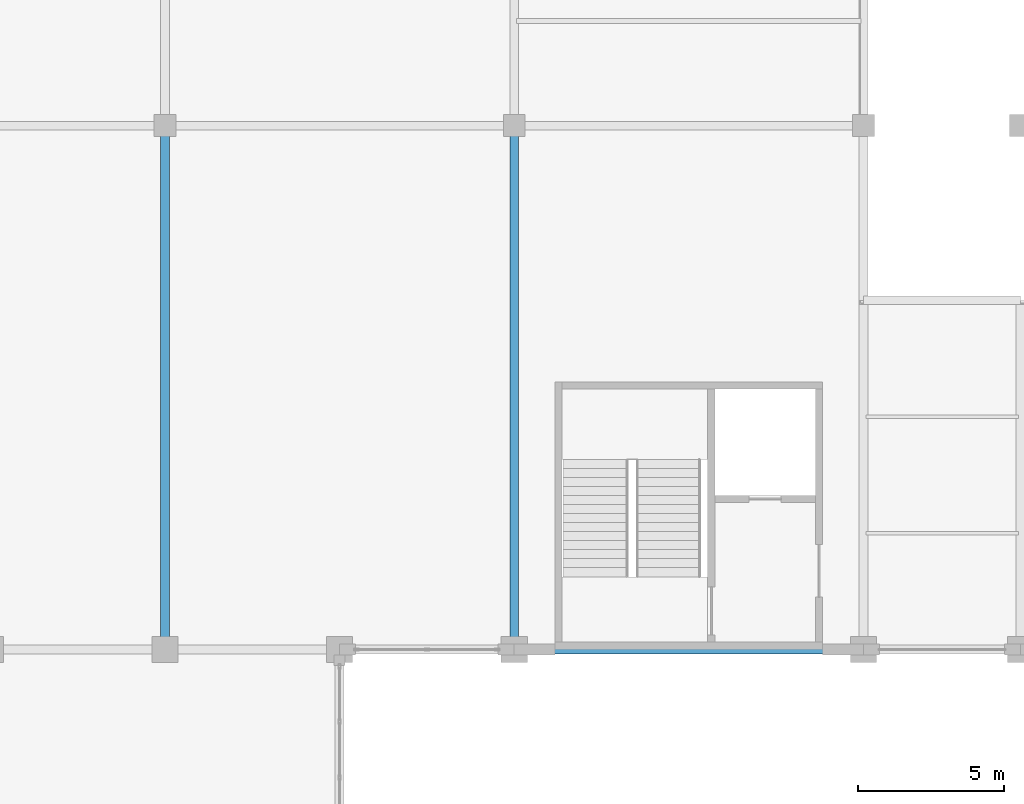
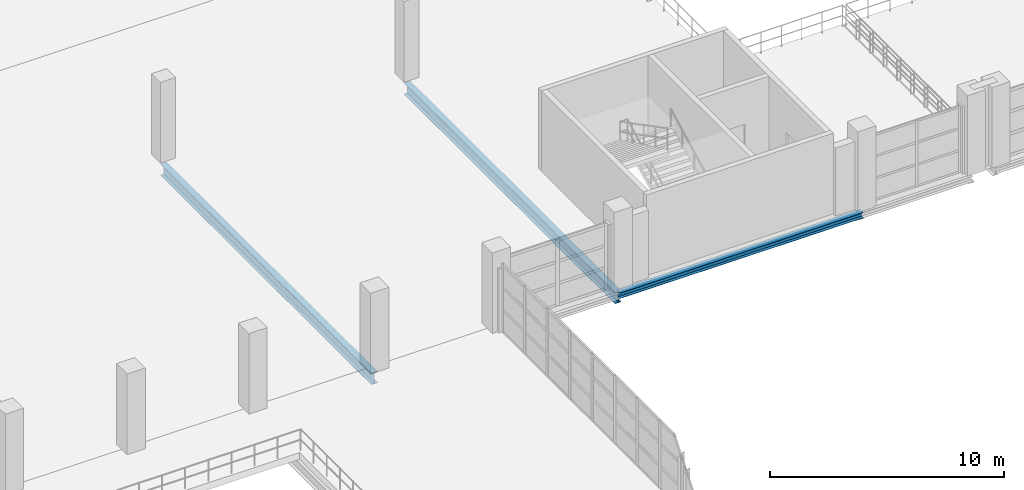
# One storey, part 59 of 158: 3 beams.
"""IFC4 building model written with IfcOpenShell, lengths in metres."""

from ifc_helpers import new_model, si_unit, direction, frame, origin, origin_2d, place, context, subcontext, project, spatial, i_section, extrude, material, material_profile, profile_set, type_object, element, save


model = new_model("IFC4")

# Units and contexts
model_context = context("Model", 3, precision=1e-05, world=origin(), true_north=direction((0.0, 1.0)))
body_context = subcontext(model_context, "Body", "Model", "MODEL_VIEW")
ifc_project = project(units=[si_unit("LENGTHUNIT", "METRE"), si_unit("AREAUNIT", "SQUARE_METRE"), si_unit("VOLUMEUNIT", "CUBIC_METRE"), si_unit("PLANEANGLEUNIT", "RADIAN"), si_unit("MASSUNIT", "GRAM", prefix="KILO")], contexts=[model_context])

# Site, building, storey
site_placement = place(None, origin())
site = spatial("IfcSite", under=ifc_project, at=site_placement, CompositionType="ELEMENT")
building_placement = place(site_placement, origin())
building = spatial("IfcBuilding", under=site, at=building_placement, Name="Zilviju Railside Exhibition Hall", CompositionType="ELEMENT")
storey_placement = place(building_placement, frame((0.0, 0.0, 4.199951171875)))
storey = spatial("IfcBuildingStorey", under=building, at=storey_placement, Name="L02", CompositionType="ELEMENT", Elevation=4.199951171875)

# Beams
ifc_material = material(Name="Steel S355J2", Category="steel")
ifc_material_profile_1 = material_profile(ifc_material, i_section(OverallWidth=0.300048828125, OverallDepth=0.2900390625, WebThickness=0.008544921875, FlangeThickness=0.013916015625, at=origin_2d()), Name="HEA 300")
ifc_profile_set_1 = profile_set([ifc_material_profile_1], Name="Steel S355J2")
beam_type_1 = type_object("IfcBeamType", Name="BM-HEA300", PredefinedType="SPANDREL", material=ifc_profile_set_1)
beam_placement = place(storey_placement, frame((108.0, 84.0, -0.474853515625), z_axis=(1.0, 0.0, 0.0), x_axis=(0.0, 1.0, 0.0)))
element("IfcBeam", 1, at=beam_placement, inside=storey, type_object=beam_type_1, Name="Primary Girder L02 Y=84.0 (108.0..120.0)", PredefinedType="SPANDREL", context=body_context, shape_type="SweptSolid", body=[
    extrude(i_section(OverallWidth=0.300048828125, OverallDepth=0.2900390625, WebThickness=0.008544921875, FlangeThickness=0.013916015625, at=origin_2d()), origin(), (0.0, 0.0, 1.0), 12.0),
])
ifc_material_profile_2 = material_profile(ifc_material, i_section(OverallWidth=0.300048828125, OverallDepth=0.60009765625, WebThickness=0.015380859375, FlangeThickness=0.030029296875, at=origin_2d()), Name="HEB 600")
ifc_profile_set_2 = profile_set([ifc_material_profile_2], Name="Steel S355J2")
beam_type_2 = type_object("IfcBeamType", Name="BM-HEB600", PredefinedType="BEAM", material=ifc_profile_set_2)
for number, where, z_axis, x_axis, name in (
    (2, (96.0, 84.0, -0.64990234375), (0.0, 1.0, 0.0), (-1.0, 0.0, 0.0), "Transverse Girder L02 X=96.0 (84.0..102.0)"),
    (3, (108.0, 84.0, -0.6298828125), (0.0, 1.0, 0.0), (-1.0, 0.0, 0.0), "Transverse Girder L02 X=108.0 (84.0..102.0)"),
):
    element("IfcBeam", number, at=place(storey_placement, frame(where, z_axis=z_axis, x_axis=x_axis)), inside=storey, type_object=beam_type_2, Name=name, PredefinedType="BEAM", context=body_context, shape_type="SweptSolid", body=[
        extrude(i_section(OverallWidth=0.300048828125, OverallDepth=0.60009765625, WebThickness=0.015380859375, FlangeThickness=0.030029296875, at=origin_2d()), origin(), (0.0, 0.0, 1.0), 18.0),
    ])

save(model, "model.ifc")
